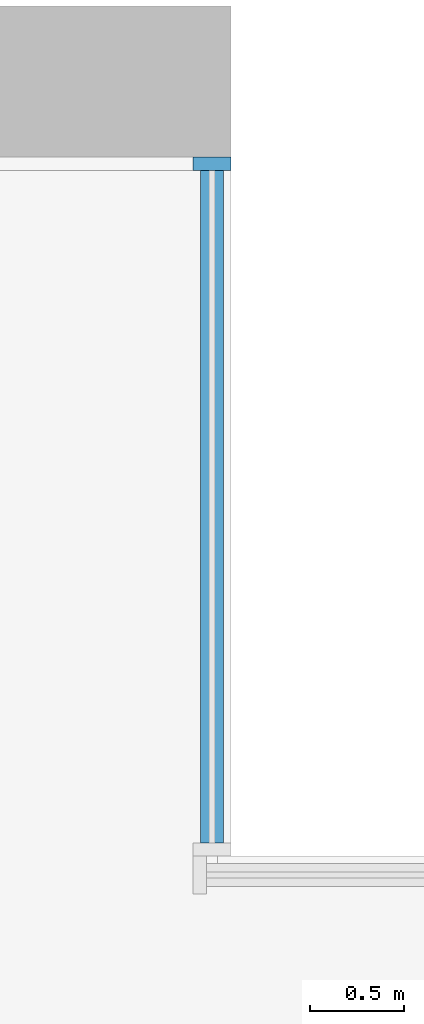
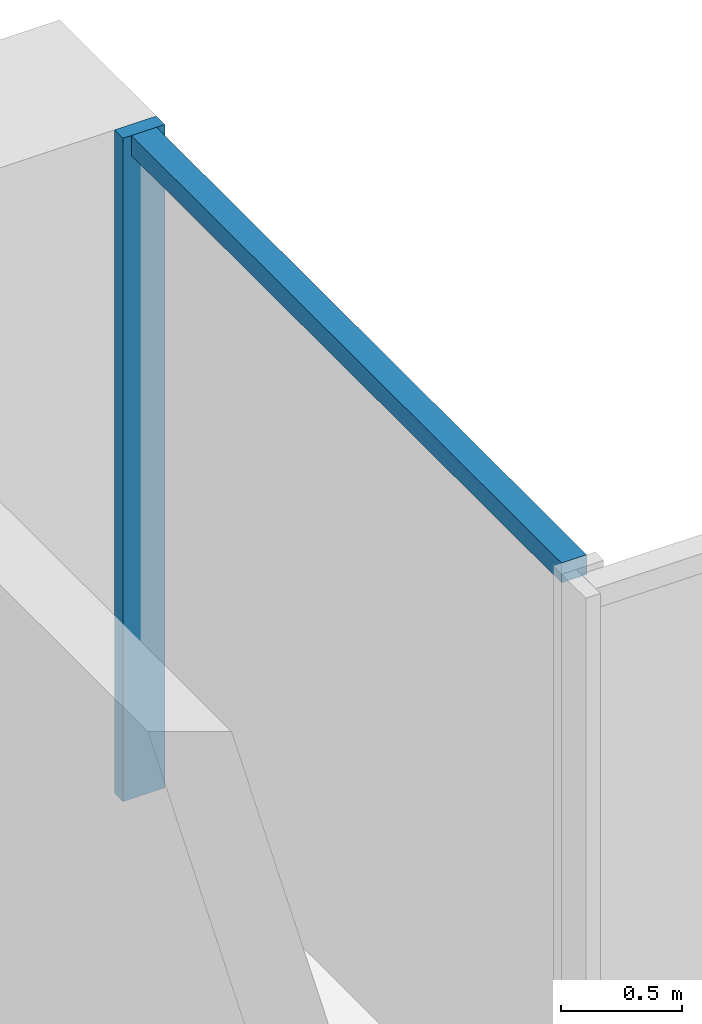
# One storey, part 6 of 15: 2 members, 1 element without a shape of its own.
"""IFC4 building model written with IfcOpenShell, lengths in metres."""

from ifc_helpers import new_model, si_unit, direction, frame, origin, origin_2d, place, context, subcontext, project, spatial, rectangle, extrude, material, material_profile, profile_set, type_object, element, aggregate, save


model = new_model("IFC4")

# Units and contexts
model_context = context("Model", 3, precision=1e-05, world=origin(), true_north=direction((0.0, 1.0)))
body_context = subcontext(model_context, "Body", "Model", "MODEL_VIEW")
ifc_project = project(units=[si_unit("LENGTHUNIT", "METRE"), si_unit("AREAUNIT", "SQUARE_METRE"), si_unit("VOLUMEUNIT", "CUBIC_METRE"), si_unit("PLANEANGLEUNIT", "RADIAN"), si_unit("MASSUNIT", "GRAM", prefix="KILO")], contexts=[model_context])

# Site, building, storey
site_placement = place(None, origin())
site = spatial("IfcSite", under=ifc_project, at=site_placement, CompositionType="ELEMENT")
building_placement = place(site_placement, origin())
building = spatial("IfcBuilding", under=site, at=building_placement, Name="Calvaro Tower", CompositionType="ELEMENT")
storey_placement = place(building_placement, frame((0.0, 0.0, 106.25)))
storey = spatial("IfcBuildingStorey", under=building, at=storey_placement, Name="L26", CompositionType="ELEMENT", Elevation=106.25)

# Curtain wall, members
ifc_material_1 = material(Name="Anodised aluminium", Category="aluminium")
curtain_wall_type = type_object("IfcCurtainWallType", Name="Office curtain wall, middle zone", PredefinedType="NOTDEFINED", material=ifc_material_1)
curtain_wall_placement = place(storey_placement, origin())
curtain_wall = element("IfcCurtainWall", 1, at=curtain_wall_placement, inside=storey, type_object=curtain_wall_type, Name="CW2 corner curtain wall", PredefinedType="NOTDEFINED")
ifc_material_2 = material(Name="Anodised aluminium", Category="aluminium")
ifc_material_profile_1 = material_profile(ifc_material_2, rectangle(XDim=0.199951171875, YDim=0.070068359375, at=origin_2d()), Name="Mullion S2 70 x 200")
ifc_profile_set_1 = profile_set([ifc_material_profile_1], Name="Anodised aluminium")
member_type_1 = type_object("IfcMemberType", Name="Mullion S2 70 x 200", PredefinedType="MULLION", material=ifc_profile_set_1)
member_1_placement = place(storey_placement, frame((66.35009765625, 45.1650390625, 0.0), z_axis=(0.0, 0.0, 1.0), x_axis=(-1.0, 0.0, 0.0)))
member_1 = element("IfcMember", 2, at=member_1_placement, type_object=member_type_1, Name="CW2 mullion 2", PredefinedType="MULLION", context=body_context, shape_type="SweptSolid", body=[
    extrude(rectangle(XDim=0.199951171875, YDim=0.070068359375, at=origin_2d()), origin(), (0.0, 0.0, 1.0), 3.35009765625),
])
ifc_material_3 = material(Name="Anodised aluminium", Category="aluminium")
ifc_material_profile_2 = material_profile(ifc_material_3, rectangle(XDim=0.1201171875, YDim=0.10009765625, at=origin_2d()), Name="Transom S2 100 x 120")
ifc_profile_set_2 = profile_set([ifc_material_profile_2], Name="Anodised aluminium")
member_type_2 = type_object("IfcMemberType", Name="Transom S2 100 x 120", PredefinedType="USERDEFINED", material=ifc_profile_set_2)
member_2_placement = place(storey_placement, frame((66.35009765625, 41.570068359375, 3.300048828125), z_axis=(0.0, 1.0, 0.0), x_axis=(-1.0, 0.0, 0.0)))
member_2 = element("IfcMember", 3, at=member_2_placement, type_object=member_type_2, Name="CW2 transom 1.1", ObjectType="TRANSOM", PredefinedType="USERDEFINED", context=body_context, shape_type="SweptSolid", body=[
    extrude(rectangle(XDim=0.1201171875, YDim=0.10009765625, at=origin_2d()), origin(), (0.0, 0.0, 1.0), 3.559814453125),
])
aggregate(curtain_wall, [member_1, member_2])

save(model, "model.ifc")
